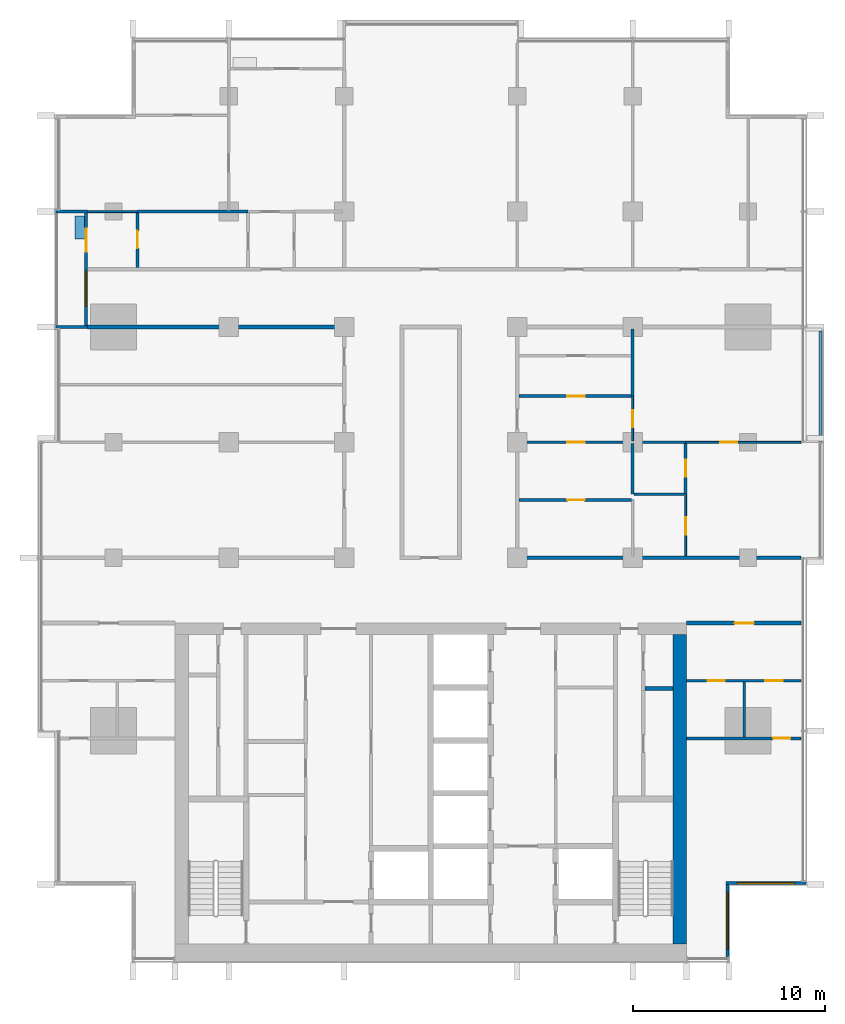
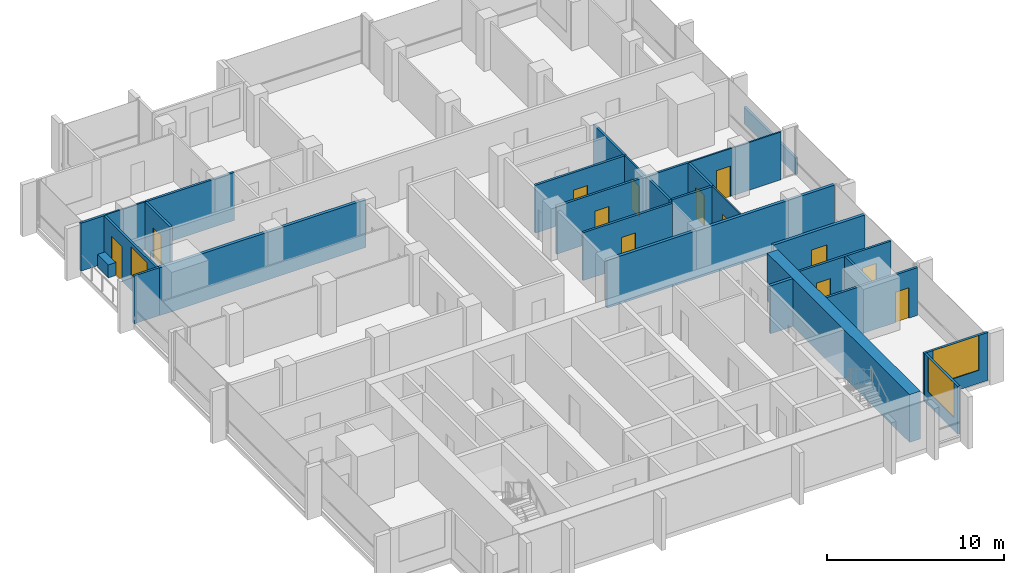
# One storey, part 9 of 16: 28 walls, 13 doors, 3 windows, 16 openings.
"""IFC4 building model written with IfcOpenShell, lengths in metres."""

from ifc_helpers import new_model, si_unit, direction, frame, frame_2d, origin, place, context, subcontext, project, spatial, rectangle, extrude, material, layer, layer_set, type_object, element, fill, save


model = new_model("IFC4")

# Units and contexts
model_context = context("Model", 3, precision=1e-05, world=origin(), true_north=direction((0.0, 1.0)))
body_context = subcontext(model_context, "Body", "Model", "MODEL_VIEW")
ifc_project = project(units=[si_unit("LENGTHUNIT", "METRE"), si_unit("AREAUNIT", "SQUARE_METRE"), si_unit("VOLUMEUNIT", "CUBIC_METRE"), si_unit("PLANEANGLEUNIT", "RADIAN"), si_unit("MASSUNIT", "GRAM", prefix="KILO")], contexts=[model_context])

# Site, building, storey
site_placement = place(None, origin())
site = spatial("IfcSite", under=ifc_project, at=site_placement, CompositionType="ELEMENT")
building_placement = place(site_placement, origin())
building = spatial("IfcBuilding", under=site, at=building_placement, Name="Finial Court Residences", CompositionType="ELEMENT")
storey_placement = place(building_placement, frame((0.0, 0.0, 185.300048828125)))
storey = spatial("IfcBuildingStorey", under=building, at=storey_placement, Name="L46", CompositionType="ELEMENT", Elevation=185.300048828125)

# Wall
ifc_material_1 = material(Name="Concrete C70/85", Category="concrete")
ifc_layer_1 = layer(ifc_material_1, 0.699951171875)
ifc_layer_set_1 = layer_set([ifc_layer_1], Name="Core outer wall 700 Concrete C70/85")
wall_type_1 = type_object("IfcWallType", Name="Core outer wall 700 Concrete C70/85", PredefinedType="SHEAR", material=ifc_layer_set_1)
wall_1_placement = place(storey_placement, frame((12.949951171875, -24.60009765625, 0.0), z_axis=(0.0, 0.0, 1.0), x_axis=(0.0, 1.0, 0.0)))
element("IfcWall", 1, at=wall_1_placement, inside=storey, type_object=wall_type_1, Name="Core outer wall L46-04", PredefinedType="SHEAR", context=body_context, shape_type="SweptSolid", body=[
    extrude(rectangle(XDim=16.10009765625, YDim=0.699951171875, at=frame_2d((8.050048828125, 0.0))), origin(), (0.0, 0.0, 1.0), 3.300048828125),
])

# Wall, opening, door
ifc_material_2 = material(Name="Gypsum board")
ifc_layer_2 = layer(ifc_material_2, 0.02490234375)
ifc_material_3 = material(Name="Acoustic mineral wool in double frame")
ifc_layer_3 = layer(ifc_material_3, 0.14990234375)
ifc_layer_4 = layer(ifc_material_2, 0.02490234375)
ifc_layer_set_2 = layer_set([ifc_layer_2, ifc_layer_3, ifc_layer_4], Name="Corridor wall 200, 1 hour")
wall_type_2 = type_object("IfcWallType", Name="Corridor wall 200, 1 hour", PredefinedType="PARTITIONING", material=ifc_layer_set_2)
wall_2_placement = place(storey_placement, frame((13.300048828125, -7.89990234375, 0.0), z_axis=(0.0, 0.0, 1.0), x_axis=(1.0, 0.0, 0.0)))
wall_2 = element("IfcWall", 2, at=wall_2_placement, inside=storey, type_object=wall_type_2, Name="Partition L46-005", PredefinedType="PARTITIONING", context=body_context, shape_type="SweptSolid", body=[
    extrude(rectangle(XDim=5.96240234375, YDim=0.199951171875, at=frame_2d((2.981201171875, 0.0))), origin(), (0.0, 0.0, 1.0), 3.300048828125),
])
opening_1_placement = place(wall_2_placement, frame((2.5, 0.0, 0.0)))
opening_1 = element("IfcOpeningElement", 3, at=opening_1_placement, cuts=wall_2, Name="Opening L46-D008", PredefinedType="OPENING", context=body_context, shape_type="SweptSolid", body=[
    extrude(rectangle(XDim=1.0, YDim=2.10009765625, at=frame_2d((0.5, 1.050048828125))), frame((0.0, 0.10986328125, 0.0), z_axis=(0.0, -1.0, 0.0), x_axis=(1.0, 0.0, 0.0)), (0.0, 0.0, 1.0), 0.219970703125),
])
ifc_material_4 = material(Name="Timber door leaf in hollow metal frame", Category="wood")
door_type_1 = type_object("IfcDoorType", Name="Fire door set 1000 x 2100, 30 minutes", OperationType="SINGLE_SWING_LEFT", PredefinedType="DOOR", material=ifc_material_4)
door_1_placement = place(opening_1_placement, origin())
door_1 = element("IfcDoor", 4, at=door_1_placement, inside=storey, type_object=door_type_1, Name="Door L46-D008", OperationType="SINGLE_SWING_RIGHT", OverallHeight=2.10009765625, OverallWidth=1.0, PredefinedType="DOOR", context=body_context, shape_type="SweptSolid", body=[
    extrude(rectangle(XDim=1.0, YDim=2.10009765625, at=frame_2d((0.5, 1.050048828125))), frame((0.0, 0.02490234375, 0.0), z_axis=(0.0, -1.0, 0.0), x_axis=(1.0, 0.0, 0.0)), (0.0, 0.0, 1.0), 0.050048828125),
])
fill(opening_1, door_1)

# Walls
wall_3_placement = place(storey_placement, frame((4.39990234375, -4.5, 0.0), z_axis=(0.0, 0.0, 1.0), x_axis=(1.0, 0.0, 0.0)))
element("IfcWall", 5, at=wall_3_placement, inside=storey, type_object=wall_type_2, Name="Partition L46-008", PredefinedType="PARTITIONING", context=body_context, shape_type="SweptSolid", body=[
    extrude(rectangle(XDim=14.862548828125, YDim=0.199951171875, at=frame_2d((7.43115234375, 0.0))), origin(), (0.0, 0.0, 1.0), 3.300048828125),
])
wall_4_placement = place(storey_placement, frame((-17.85009765625, 7.5, 0.0), z_axis=(0.0, 0.0, 1.0), x_axis=(1.0, 0.0, 0.0)))
element("IfcWall", 6, at=wall_4_placement, inside=storey, type_object=wall_type_2, Name="Partition L46-017", PredefinedType="PARTITIONING", context=body_context, shape_type="SweptSolid", body=[
    extrude(rectangle(XDim=13.4501953125, YDim=0.199951171875, at=frame_2d((6.72509765625, 0.0))), origin(), (0.0, 0.0, 1.0), 3.300048828125),
])

# Wall, opening, door
ifc_layer_5 = layer(ifc_material_2, 0.012451171875)
ifc_material_5 = material(Name="Mineral wool in light-gauge frame")
ifc_layer_6 = layer(ifc_material_5, 0.074951171875)
ifc_layer_7 = layer(ifc_material_2, 0.012451171875)
ifc_layer_set_3 = layer_set([ifc_layer_5, ifc_layer_6, ifc_layer_7], Name="Gypsum board partition 100")
wall_type_3 = type_object("IfcWallType", Name="Gypsum board partition 100", PredefinedType="PARTITIONING", material=ifc_layer_set_3)
wall_5_placement = place(storey_placement, frame((13.25, 1.5, 0.0), z_axis=(0.0, 0.0, 1.0), x_axis=(1.0, 0.0, 0.0)))
wall_5 = element("IfcWall", 7, at=wall_5_placement, inside=storey, type_object=wall_type_3, Name="Partition L46-012", PredefinedType="PARTITIONING", context=body_context, shape_type="SweptSolid", body=[
    extrude(rectangle(XDim=6.012451171875, YDim=0.10009765625, at=frame_2d((3.00634765625, 0.0))), origin(), (0.0, 0.0, 1.0), 3.300048828125),
])
opening_2_placement = place(wall_5_placement, frame((1.800048828125, 0.0, 0.0)))
opening_2 = element("IfcOpeningElement", 8, at=opening_2_placement, cuts=wall_5, Name="Opening L46-D011", PredefinedType="OPENING", context=body_context, shape_type="SweptSolid", body=[
    extrude(rectangle(XDim=0.89990234375, YDim=2.10009765625, at=frame_2d((0.449951171875, 1.050048828125))), frame((0.0, 0.06005859375, 0.0), z_axis=(0.0, -1.0, 0.0), x_axis=(1.0, 0.0, 0.0)), (0.0, 0.0, 1.0), 0.1201171875),
])
ifc_material_6 = material(Name="Timber door leaf in timber frame", Category="wood")
door_type_2 = type_object("IfcDoorType", Name="Door set 900 x 2100", OperationType="SINGLE_SWING_LEFT", PredefinedType="DOOR", material=ifc_material_6)
door_2_placement = place(opening_2_placement, origin())
door_2 = element("IfcDoor", 9, at=door_2_placement, inside=storey, type_object=door_type_2, Name="Door L46-D011", OperationType="SINGLE_SWING_LEFT", OverallHeight=2.10009765625, OverallWidth=0.89990234375, PredefinedType="DOOR", context=body_context, shape_type="SweptSolid", body=[
    extrude(rectangle(XDim=0.89990234375, YDim=2.10009765625, at=frame_2d((0.449951171875, 1.050048828125))), frame((0.0, 0.02490234375, 0.0), z_axis=(0.0, -1.0, 0.0), x_axis=(1.0, 0.0, 0.0)), (0.0, 0.0, 1.0), 0.050048828125),
])
fill(opening_2, door_2)

# Wall
wall_6_placement = place(storey_placement, frame((-17.85009765625, 13.5, 0.0), z_axis=(0.0, 0.0, 1.0), x_axis=(1.0, 0.0, 0.0)))
element("IfcWall", 10, at=wall_6_placement, inside=storey, type_object=wall_type_3, Name="Partition L46-021", PredefinedType="PARTITIONING", context=body_context, shape_type="SweptSolid", body=[
    extrude(rectangle(XDim=2.60009765625, YDim=0.10009765625, at=frame_2d((1.300048828125, 0.0))), origin(), (0.0, 0.0, 1.0), 3.300048828125),
])

# Wall, opening, door
wall_7_placement = place(storey_placement, frame((10.5, 1.574951171875, 0.0), z_axis=(0.0, 0.0, 1.0), x_axis=(0.0, 1.0, 0.0)))
wall_7 = element("IfcWall", 11, at=wall_7_placement, inside=storey, type_object=wall_type_3, Name="Partition L46-038", PredefinedType="PARTITIONING", context=body_context, shape_type="SweptSolid", body=[
    extrude(rectangle(XDim=2.324951171875, YDim=0.10009765625, at=frame_2d((1.16259765625, 0.0))), origin(), (0.0, 0.0, 1.0), 3.300048828125),
])
opening_3_placement = place(wall_7_placement, frame((0.699951171875, 0.0, 0.0)))
opening_3 = element("IfcOpeningElement", 12, at=opening_3_placement, cuts=wall_7, Name="Opening L46-D030", PredefinedType="OPENING", context=body_context, shape_type="SweptSolid", body=[
    extrude(rectangle(XDim=0.89990234375, YDim=2.10009765625, at=frame_2d((0.449951171875, 1.050048828125))), frame((0.0, 0.06005859375, 0.0), z_axis=(0.0, -1.0, 0.0), x_axis=(1.0, 0.0, 0.0)), (0.0, 0.0, 1.0), 0.1201171875),
])
door_3_placement = place(opening_3_placement, origin())
door_3 = element("IfcDoor", 13, at=door_3_placement, inside=storey, type_object=door_type_2, Name="Door L46-D030", OperationType="SINGLE_SWING_RIGHT", OverallHeight=2.10009765625, OverallWidth=0.89990234375, PredefinedType="DOOR", context=body_context, shape_type="SweptSolid", body=[
    extrude(rectangle(XDim=0.89990234375, YDim=2.10009765625, at=frame_2d((0.449951171875, 1.050048828125))), frame((0.0, 0.02490234375, 0.0), z_axis=(0.0, -1.0, 0.0), x_axis=(1.0, 0.0, 0.0)), (0.0, 0.0, 1.0), 0.050048828125),
])
fill(opening_3, door_3)

wall_8_placement = place(storey_placement, frame((13.25, -4.39990234375, 0.0), z_axis=(0.0, 0.0, 1.0), x_axis=(0.0, 1.0, 0.0)))
wall_8 = element("IfcWall", 14, at=wall_8_placement, inside=storey, type_object=wall_type_3, Name="Partition L46-042", PredefinedType="PARTITIONING", context=body_context, shape_type="SweptSolid", body=[
    extrude(rectangle(XDim=3.199951171875, YDim=0.10009765625, at=frame_2d((1.60009765625, 0.0))), origin(), (0.0, 0.0, 1.0), 3.300048828125),
])
opening_4_placement = place(wall_8_placement, frame((1.10009765625, 0.0, 0.0)))
opening_4 = element("IfcOpeningElement", 15, at=opening_4_placement, cuts=wall_8, Name="Opening L46-D031", PredefinedType="OPENING", context=body_context, shape_type="SweptSolid", body=[
    extrude(rectangle(XDim=0.89990234375, YDim=2.10009765625, at=frame_2d((0.449951171875, 1.050048828125))), frame((0.0, 0.06005859375, 0.0), z_axis=(0.0, -1.0, 0.0), x_axis=(1.0, 0.0, 0.0)), (0.0, 0.0, 1.0), 0.1201171875),
])
door_4_placement = place(opening_4_placement, origin())
door_4 = element("IfcDoor", 16, at=door_4_placement, inside=storey, type_object=door_type_2, Name="Door L46-D031", OperationType="SINGLE_SWING_RIGHT", OverallHeight=2.10009765625, OverallWidth=0.89990234375, PredefinedType="DOOR", context=body_context, shape_type="SweptSolid", body=[
    extrude(rectangle(XDim=0.89990234375, YDim=2.10009765625, at=frame_2d((0.449951171875, 1.050048828125))), frame((0.0, 0.02490234375, 0.0), z_axis=(0.0, -1.0, 0.0), x_axis=(1.0, 0.0, 0.0)), (0.0, 0.0, 1.0), 0.050048828125),
])
fill(opening_4, door_4)

ifc_material_7 = material(Name="Moisture-resistant gypsum board")
ifc_layer_8 = layer(ifc_material_7, 0.012451171875)
ifc_layer_9 = layer(ifc_material_5, 0.125)
ifc_layer_10 = layer(ifc_material_7, 0.012451171875)
ifc_layer_set_4 = layer_set([ifc_layer_8, ifc_layer_9, ifc_layer_10], Name="Gypsum board wet-area partition 150")
wall_type_4 = type_object("IfcWallType", Name="Gypsum board wet-area partition 150", PredefinedType="PARTITIONING", material=ifc_layer_set_4)
wall_9_placement = place(storey_placement, frame((13.300048828125, -13.89990234375, 0.0), z_axis=(0.0, 0.0, 1.0), x_axis=(1.0, 0.0, 0.0)))
wall_9 = element("IfcWall", 17, at=wall_9_placement, inside=storey, type_object=wall_type_4, Name="Partition L46-001", PredefinedType="PARTITIONING", context=body_context, shape_type="SweptSolid", body=[
    extrude(rectangle(XDim=5.96240234375, YDim=0.14990234375, at=frame_2d((2.981201171875, 0.0))), origin(), (0.0, 0.0, 1.0), 3.300048828125),
])
opening_5_placement = place(wall_9_placement, frame((4.5, 0.0, 0.0)))
opening_5 = element("IfcOpeningElement", 18, at=opening_5_placement, cuts=wall_9, Name="Opening L46-D002", PredefinedType="OPENING", context=body_context, shape_type="SweptSolid", body=[
    extrude(rectangle(XDim=0.89990234375, YDim=2.10009765625, at=frame_2d((0.449951171875, 1.050048828125))), frame((0.0, 0.0849609375, 0.0), z_axis=(0.0, -1.0, 0.0), x_axis=(1.0, 0.0, 0.0)), (0.0, 0.0, 1.0), 0.169921875),
])
door_5_placement = place(opening_5_placement, origin())
door_5 = element("IfcDoor", 19, at=door_5_placement, inside=storey, type_object=door_type_2, Name="Door L46-D002", OperationType="SINGLE_SWING_RIGHT", OverallHeight=2.10009765625, OverallWidth=0.89990234375, PredefinedType="DOOR", context=body_context, shape_type="SweptSolid", body=[
    extrude(rectangle(XDim=0.89990234375, YDim=2.10009765625, at=frame_2d((0.449951171875, 1.050048828125))), frame((0.0, 0.02490234375, 0.0), z_axis=(0.0, -1.0, 0.0), x_axis=(1.0, 0.0, 0.0)), (0.0, 0.0, 1.0), 0.050048828125),
])
fill(opening_5, door_5)

# Wall, openings, doors
wall_10_placement = place(storey_placement, frame((13.300048828125, -10.89990234375, 0.0), z_axis=(0.0, 0.0, 1.0), x_axis=(1.0, 0.0, 0.0)))
wall_10 = element("IfcWall", 20, at=wall_10_placement, inside=storey, type_object=wall_type_4, Name="Partition L46-003", PredefinedType="PARTITIONING", context=body_context, shape_type="SweptSolid", body=[
    extrude(rectangle(XDim=5.96240234375, YDim=0.14990234375, at=frame_2d((2.981201171875, 0.0))), origin(), (0.0, 0.0, 1.0), 3.300048828125),
])
opening_6_placement = place(wall_10_placement, frame((1.10009765625, 0.0, 0.0)))
opening_6 = element("IfcOpeningElement", 21, at=opening_6_placement, cuts=wall_10, Name="Opening L46-D005", PredefinedType="OPENING", context=body_context, shape_type="SweptSolid", body=[
    extrude(rectangle(XDim=0.89990234375, YDim=2.10009765625, at=frame_2d((0.449951171875, 1.050048828125))), frame((0.0, 0.0849609375, 0.0), z_axis=(0.0, -1.0, 0.0), x_axis=(1.0, 0.0, 0.0)), (0.0, 0.0, 1.0), 0.169921875),
])
opening_7_placement = place(wall_10_placement, frame((4.10009765625, 0.0, 0.0)))
opening_7 = element("IfcOpeningElement", 22, at=opening_7_placement, cuts=wall_10, Name="Opening L46-D006", PredefinedType="OPENING", context=body_context, shape_type="SweptSolid", body=[
    extrude(rectangle(XDim=0.89990234375, YDim=2.10009765625, at=frame_2d((0.449951171875, 1.050048828125))), frame((0.0, 0.0849609375, 0.0), z_axis=(0.0, -1.0, 0.0), x_axis=(1.0, 0.0, 0.0)), (0.0, 0.0, 1.0), 0.169921875),
])
door_6_placement = place(opening_6_placement, origin())
door_6 = element("IfcDoor", 23, at=door_6_placement, inside=storey, type_object=door_type_2, Name="Door L46-D005", OperationType="SINGLE_SWING_LEFT", OverallHeight=2.10009765625, OverallWidth=0.89990234375, PredefinedType="DOOR", context=body_context, shape_type="SweptSolid", body=[
    extrude(rectangle(XDim=0.89990234375, YDim=2.10009765625, at=frame_2d((0.449951171875, 1.050048828125))), frame((0.0, 0.02490234375, 0.0), z_axis=(0.0, -1.0, 0.0), x_axis=(1.0, 0.0, 0.0)), (0.0, 0.0, 1.0), 0.050048828125),
])
fill(opening_6, door_6)
door_7_placement = place(opening_7_placement, origin())
door_7 = element("IfcDoor", 24, at=door_7_placement, inside=storey, type_object=door_type_2, Name="Door L46-D006", OperationType="SINGLE_SWING_RIGHT", OverallHeight=2.10009765625, OverallWidth=0.89990234375, PredefinedType="DOOR", context=body_context, shape_type="SweptSolid", body=[
    extrude(rectangle(XDim=0.89990234375, YDim=2.10009765625, at=frame_2d((0.449951171875, 1.050048828125))), frame((0.0, 0.02490234375, 0.0), z_axis=(0.0, -1.0, 0.0), x_axis=(1.0, 0.0, 0.0)), (0.0, 0.0, 1.0), 0.050048828125),
])
fill(opening_7, door_7)

# Wall, opening, door
wall_11_placement = place(storey_placement, frame((4.60009765625, -1.5, 0.0), z_axis=(0.0, 0.0, 1.0), x_axis=(1.0, 0.0, 0.0)))
wall_11 = element("IfcWall", 25, at=wall_11_placement, inside=storey, type_object=wall_type_4, Name="Partition L46-009", PredefinedType="PARTITIONING", context=body_context, shape_type="SweptSolid", body=[
    extrude(rectangle(XDim=5.824951171875, YDim=0.14990234375, at=frame_2d((2.91259765625, 0.0))), origin(), (0.0, 0.0, 1.0), 3.300048828125),
])
opening_8_placement = place(wall_11_placement, frame((2.5, 0.0, 0.0)))
opening_8 = element("IfcOpeningElement", 26, at=opening_8_placement, cuts=wall_11, Name="Opening L46-D010", PredefinedType="OPENING", context=body_context, shape_type="SweptSolid", body=[
    extrude(rectangle(XDim=0.89990234375, YDim=2.10009765625, at=frame_2d((0.449951171875, 1.050048828125))), frame((0.0, 0.0849609375, 0.0), z_axis=(0.0, -1.0, 0.0), x_axis=(1.0, 0.0, 0.0)), (0.0, 0.0, 1.0), 0.169921875),
])
door_8_placement = place(opening_8_placement, origin())
door_8 = element("IfcDoor", 27, at=door_8_placement, inside=storey, type_object=door_type_2, Name="Door L46-D010", OperationType="SINGLE_SWING_LEFT", OverallHeight=2.10009765625, OverallWidth=0.89990234375, PredefinedType="DOOR", context=body_context, shape_type="SweptSolid", body=[
    extrude(rectangle(XDim=0.89990234375, YDim=2.10009765625, at=frame_2d((0.449951171875, 1.050048828125))), frame((0.0, 0.02490234375, 0.0), z_axis=(0.0, -1.0, 0.0), x_axis=(1.0, 0.0, 0.0)), (0.0, 0.0, 1.0), 0.050048828125),
])
fill(opening_8, door_8)

# Wall
wall_12_placement = place(storey_placement, frame((10.574951171875, -1.199951171875, 0.0), z_axis=(0.0, 0.0, 1.0), x_axis=(1.0, 0.0, 0.0)))
element("IfcWall", 28, at=wall_12_placement, inside=storey, type_object=wall_type_4, Name="Partition L46-010", PredefinedType="PARTITIONING", context=body_context, shape_type="SweptSolid", body=[
    extrude(rectangle(XDim=2.60009765625, YDim=0.14990234375, at=frame_2d((1.300048828125, 0.0))), origin(), (0.0, 0.0, 1.0), 3.300048828125),
])

# Wall, opening, door
wall_13_placement = place(storey_placement, frame((4.60009765625, 1.5, 0.0), z_axis=(0.0, 0.0, 1.0), x_axis=(1.0, 0.0, 0.0)))
wall_13 = element("IfcWall", 29, at=wall_13_placement, inside=storey, type_object=wall_type_4, Name="Partition L46-013", PredefinedType="PARTITIONING", context=body_context, shape_type="SweptSolid", body=[
    extrude(rectangle(XDim=8.64990234375, YDim=0.14990234375, at=frame_2d((4.324951171875, 0.0))), origin(), (0.0, 0.0, 1.0), 3.300048828125),
])
opening_9_placement = place(wall_13_placement, frame((2.5, 0.0, 0.0)))
opening_9 = element("IfcOpeningElement", 30, at=opening_9_placement, cuts=wall_13, Name="Opening L46-D012", PredefinedType="OPENING", context=body_context, shape_type="SweptSolid", body=[
    extrude(rectangle(XDim=0.89990234375, YDim=2.10009765625, at=frame_2d((0.449951171875, 1.050048828125))), frame((0.0, 0.0849609375, 0.0), z_axis=(0.0, -1.0, 0.0), x_axis=(1.0, 0.0, 0.0)), (0.0, 0.0, 1.0), 0.169921875),
])
door_9_placement = place(opening_9_placement, origin())
door_9 = element("IfcDoor", 31, at=door_9_placement, inside=storey, type_object=door_type_2, Name="Door L46-D012", OperationType="SINGLE_SWING_LEFT", OverallHeight=2.10009765625, OverallWidth=0.89990234375, PredefinedType="DOOR", context=body_context, shape_type="SweptSolid", body=[
    extrude(rectangle(XDim=0.89990234375, YDim=2.10009765625, at=frame_2d((0.449951171875, 1.050048828125))), frame((0.0, 0.02490234375, 0.0), z_axis=(0.0, -1.0, 0.0), x_axis=(1.0, 0.0, 0.0)), (0.0, 0.0, 1.0), 0.050048828125),
])
fill(opening_9, door_9)

wall_14_placement = place(storey_placement, frame((4.60009765625, 3.89990234375, 0.0), z_axis=(0.0, 0.0, 1.0), x_axis=(1.0, 0.0, 0.0)))
wall_14 = element("IfcWall", 32, at=wall_14_placement, inside=storey, type_object=wall_type_4, Name="Partition L46-014", PredefinedType="PARTITIONING", context=body_context, shape_type="SweptSolid", body=[
    extrude(rectangle(XDim=5.824951171875, YDim=0.14990234375, at=frame_2d((2.91259765625, 0.0))), origin(), (0.0, 0.0, 1.0), 3.300048828125),
])
opening_10_placement = place(wall_14_placement, frame((2.5, 0.0, 0.0)))
opening_10 = element("IfcOpeningElement", 33, at=opening_10_placement, cuts=wall_14, Name="Opening L46-D013", PredefinedType="OPENING", context=body_context, shape_type="SweptSolid", body=[
    extrude(rectangle(XDim=0.89990234375, YDim=2.10009765625, at=frame_2d((0.449951171875, 1.050048828125))), frame((0.0, 0.0849609375, 0.0), z_axis=(0.0, -1.0, 0.0), x_axis=(1.0, 0.0, 0.0)), (0.0, 0.0, 1.0), 0.169921875),
])
door_10_placement = place(opening_10_placement, origin())
door_10 = element("IfcDoor", 34, at=door_10_placement, inside=storey, type_object=door_type_2, Name="Door L46-D013", OperationType="SINGLE_SWING_LEFT", OverallHeight=2.10009765625, OverallWidth=0.89990234375, PredefinedType="DOOR", context=body_context, shape_type="SweptSolid", body=[
    extrude(rectangle(XDim=0.89990234375, YDim=2.10009765625, at=frame_2d((0.449951171875, 1.050048828125))), frame((0.0, 0.02490234375, 0.0), z_axis=(0.0, -1.0, 0.0), x_axis=(1.0, 0.0, 0.0)), (0.0, 0.0, 1.0), 0.050048828125),
])
fill(opening_10, door_10)

# Wall
wall_15_placement = place(storey_placement, frame((-15.25, 13.5, 0.0), z_axis=(0.0, 0.0, 1.0), x_axis=(1.0, 0.0, 0.0)))
element("IfcWall", 35, at=wall_15_placement, inside=storey, type_object=wall_type_4, Name="Partition L46-023", PredefinedType="PARTITIONING", context=body_context, shape_type="SweptSolid", body=[
    extrude(rectangle(XDim=5.75, YDim=0.14990234375, at=frame_2d((2.875, 0.0))), origin(), (0.0, 0.0, 1.0), 3.300048828125),
])

# Wall, opening, door
wall_16_placement = place(storey_placement, frame((-15.25, 10.60009765625, 0.0), z_axis=(0.0, 0.0, 1.0), x_axis=(0.0, 1.0, 0.0)))
wall_16 = element("IfcWall", 36, at=wall_16_placement, inside=storey, type_object=wall_type_4, Name="Partition L46-027", PredefinedType="PARTITIONING", context=body_context, shape_type="SweptSolid", body=[
    extrude(rectangle(XDim=2.824951171875, YDim=0.14990234375, at=frame_2d((1.41259765625, 0.0))), origin(), (0.0, 0.0, 1.0), 3.300048828125),
])
opening_11_placement = place(wall_16_placement, frame((1.0, 0.0, 0.0)))
opening_11 = element("IfcOpeningElement", 37, at=opening_11_placement, cuts=wall_16, Name="Opening L46-D022", PredefinedType="OPENING", context=body_context, shape_type="SweptSolid", body=[
    extrude(rectangle(XDim=0.89990234375, YDim=2.10009765625, at=frame_2d((0.449951171875, 1.050048828125))), frame((0.0, 0.0849609375, 0.0), z_axis=(0.0, -1.0, 0.0), x_axis=(1.0, 0.0, 0.0)), (0.0, 0.0, 1.0), 0.169921875),
])
door_11_placement = place(opening_11_placement, origin())
door_11 = element("IfcDoor", 38, at=door_11_placement, inside=storey, type_object=door_type_2, Name="Door L46-D022", OperationType="SINGLE_SWING_LEFT", OverallHeight=2.10009765625, OverallWidth=0.89990234375, PredefinedType="DOOR", context=body_context, shape_type="SweptSolid", body=[
    extrude(rectangle(XDim=0.89990234375, YDim=2.10009765625, at=frame_2d((0.449951171875, 1.050048828125))), frame((0.0, 0.02490234375, 0.0), z_axis=(0.0, -1.0, 0.0), x_axis=(1.0, 0.0, 0.0)), (0.0, 0.0, 1.0), 0.050048828125),
])
fill(opening_11, door_11)

# Walls
wall_17_placement = place(storey_placement, frame((10.5, -1.199951171875, 0.0), z_axis=(0.0, 0.0, 1.0), x_axis=(0.0, 1.0, 0.0)))
element("IfcWall", 39, at=wall_17_placement, inside=storey, type_object=wall_type_4, Name="Partition L46-040", PredefinedType="PARTITIONING", context=body_context, shape_type="SweptSolid", body=[
    extrude(rectangle(XDim=2.625, YDim=0.14990234375, at=frame_2d((1.3125, 0.0))), origin(), (0.0, 0.0, 1.0), 3.300048828125),
])
wall_18_placement = place(storey_placement, frame((10.5, 3.89990234375, 0.0), z_axis=(0.0, 0.0, 1.0), x_axis=(0.0, 1.0, 0.0)))
element("IfcWall", 40, at=wall_18_placement, inside=storey, type_object=wall_type_4, Name="Partition L46-041", PredefinedType="PARTITIONING", context=body_context, shape_type="SweptSolid", body=[
    extrude(rectangle(XDim=3.5, YDim=0.14990234375, at=frame_2d((1.75, 0.0))), origin(), (0.0, 0.0, 1.0), 3.300048828125),
])

# Wall, opening, door
wall_19_placement = place(storey_placement, frame((13.25, -1.199951171875, 0.0), z_axis=(0.0, 0.0, 1.0), x_axis=(0.0, 1.0, 0.0)))
wall_19 = element("IfcWall", 41, at=wall_19_placement, inside=storey, type_object=wall_type_4, Name="Partition L46-043", PredefinedType="PARTITIONING", context=body_context, shape_type="SweptSolid", body=[
    extrude(rectangle(XDim=2.625, YDim=0.14990234375, at=frame_2d((1.3125, 0.0))), origin(), (0.0, 0.0, 1.0), 3.300048828125),
])
opening_12_placement = place(wall_19_placement, frame((0.89990234375, 0.0, 0.0)))
opening_12 = element("IfcOpeningElement", 42, at=opening_12_placement, cuts=wall_19, Name="Opening L46-D032", PredefinedType="OPENING", context=body_context, shape_type="SweptSolid", body=[
    extrude(rectangle(XDim=0.89990234375, YDim=2.10009765625, at=frame_2d((0.449951171875, 1.050048828125))), frame((0.0, 0.0849609375, 0.0), z_axis=(0.0, -1.0, 0.0), x_axis=(1.0, 0.0, 0.0)), (0.0, 0.0, 1.0), 0.169921875),
])
door_12_placement = place(opening_12_placement, origin())
door_12 = element("IfcDoor", 43, at=door_12_placement, inside=storey, type_object=door_type_2, Name="Door L46-D032", OperationType="SINGLE_SWING_RIGHT", OverallHeight=2.10009765625, OverallWidth=0.89990234375, PredefinedType="DOOR", context=body_context, shape_type="SweptSolid", body=[
    extrude(rectangle(XDim=0.89990234375, YDim=2.10009765625, at=frame_2d((0.449951171875, 1.050048828125))), frame((0.0, 0.02490234375, 0.0), z_axis=(0.0, -1.0, 0.0), x_axis=(1.0, 0.0, 0.0)), (0.0, 0.0, 1.0), 0.050048828125),
])
fill(opening_12, door_12)

# Walls
wall_20_placement = place(storey_placement, frame((16.300048828125, -13.824951171875, 0.0), z_axis=(0.0, 0.0, 1.0), x_axis=(0.0, 1.0, 0.0)))
element("IfcWall", 44, at=wall_20_placement, inside=storey, type_object=wall_type_4, Name="Partition L46-044", PredefinedType="PARTITIONING", context=body_context, shape_type="SweptSolid", body=[
    extrude(rectangle(XDim=2.849853515625, YDim=0.14990234375, at=frame_2d((1.4248046875, 0.0))), origin(), (0.0, 0.0, 1.0), 3.300048828125),
])
ifc_material_8 = material(Name="Concrete C35/45", Category="concrete")
ifc_layer_11 = layer(ifc_material_8, 0.14990234375)
ifc_layer_set_5 = layer_set([ifc_layer_11], Name="Ledge parapet, Concrete C35/45 150")
wall_type_5 = type_object("IfcWallType", Name="Ledge parapet, Concrete C35/45 150", PredefinedType="PARAPET", material=ifc_layer_set_5)
wall_21_placement = place(storey_placement, frame((20.27490234375, 7.300048828125, 0.0), z_axis=(0.0, 0.0, 1.0), x_axis=(0.0, -1.0, 0.0)))
element("IfcWall", 45, at=wall_21_placement, inside=storey, type_object=wall_type_5, Name="E-L46-LED1-P2", PredefinedType="PARAPET", context=body_context, shape_type="SweptSolid", body=[
    extrude(rectangle(XDim=5.8525390625, YDim=0.14990234375, at=frame_2d((2.92626953125, 0.0))), origin(), (0.0, 0.0, 1.0), 1.14990234375),
])

# Wall, opening, window
ifc_material_9 = material(Name="Natural limestone", Category="masonry")
ifc_layer_12 = layer(ifc_material_9, 0.14990234375)
ifc_layer_set_6 = layer_set([ifc_layer_12], Name="Limestone clad wall 150")
wall_type_6 = type_object("IfcWallType", Name="Limestone clad wall 150", PredefinedType="SOLIDWALL", material=ifc_layer_set_6)
wall_22_placement = place(storey_placement, frame((15.425048828125, -21.5, 0.0), z_axis=(0.0, 0.0, 1.0), x_axis=(0.0, -1.0, 0.0)))
wall_22 = element("IfcWall", 46, at=wall_22_placement, inside=storey, type_object=wall_type_6, Name="E-L46-NWE16", PredefinedType="SOLIDWALL", context=body_context, shape_type="SweptSolid", body=[
    extrude(rectangle(XDim=3.762451171875, YDim=0.14990234375, at=frame_2d((1.88134765625, 0.0))), origin(), (0.0, 0.0, 1.0), 3.300048828125),
])
opening_13_placement = place(wall_22_placement, frame((0.4013671875, 0.0, 0.89990234375)))
opening_13 = element("IfcOpeningElement", 47, at=opening_13_placement, cuts=wall_22, Name="Opening WE46-03", PredefinedType="OPENING", context=body_context, shape_type="SweptSolid", body=[
    extrude(rectangle(XDim=2.9599609375, YDim=2.39990234375, at=frame_2d((1.47998046875, 1.199951171875))), frame((0.0, 0.0849609375, 0.0), z_axis=(0.0, -1.0, 0.0), x_axis=(1.0, 0.0, 0.0)), (0.0, 0.0, 1.0), 0.169921875),
])
ifc_material_10 = material(Name="Clear low-e glass", Category="glass")
window_type_1 = type_object("IfcWindowType", Name="Corner window 2960 x 2400", PartitioningType="SINGLE_PANEL", PredefinedType="WINDOW", material=ifc_material_10)
window_1_placement = place(opening_13_placement, origin())
window_1 = element("IfcWindow", 48, at=window_1_placement, inside=storey, type_object=window_type_1, Name="E-L46-NWE16-W1", OverallHeight=2.39990234375, OverallWidth=2.9599609375, PartitioningType="SINGLE_PANEL", PredefinedType="WINDOW", context=body_context, shape_type="SweptSolid", body=[
    extrude(rectangle(XDim=2.9599609375, YDim=2.39990234375, at=frame_2d((1.47998046875, 1.199951171875))), frame((0.0, 0.030029296875, 0.0), z_axis=(0.0, -1.0, 0.0), x_axis=(1.0, 0.0, 0.0)), (0.0, 0.0, 1.0), 0.06005859375),
])
fill(opening_13, window_1)

wall_23_placement = place(storey_placement, frame((19.5, -21.425048828125, 0.0), z_axis=(0.0, 0.0, 1.0), x_axis=(-1.0, 0.0, 0.0)))
wall_23 = element("IfcWall", 49, at=wall_23_placement, inside=storey, type_object=wall_type_6, Name="E-L46-NWS17", PredefinedType="SOLIDWALL", context=body_context, shape_type="SweptSolid", body=[
    extrude(rectangle(XDim=4.14990234375, YDim=0.14990234375, at=frame_2d((2.074951171875, 0.0))), origin(), (0.0, 0.0, 1.0), 3.300048828125),
])
opening_14_placement = place(wall_23_placement, frame((0.574951171875, 0.0, 0.89990234375)))
opening_14 = element("IfcOpeningElement", 50, at=opening_14_placement, cuts=wall_23, Name="Opening WE46-04", PredefinedType="OPENING", context=body_context, shape_type="SweptSolid", body=[
    extrude(rectangle(XDim=3.0, YDim=2.39990234375, at=frame_2d((1.5, 1.199951171875))), frame((0.0, 0.0849609375, 0.0), z_axis=(0.0, -1.0, 0.0), x_axis=(1.0, 0.0, 0.0)), (0.0, 0.0, 1.0), 0.169921875),
])
window_type_2 = type_object("IfcWindowType", Name="Corner window 3000 x 2400", PartitioningType="SINGLE_PANEL", PredefinedType="WINDOW", material=ifc_material_10)
window_2_placement = place(opening_14_placement, origin())
window_2 = element("IfcWindow", 51, at=window_2_placement, inside=storey, type_object=window_type_2, Name="E-L46-NWS17-W1", OverallHeight=2.39990234375, OverallWidth=3.0, PartitioningType="SINGLE_PANEL", PredefinedType="WINDOW", context=body_context, shape_type="SweptSolid", body=[
    extrude(rectangle(XDim=3.0, YDim=2.39990234375, at=frame_2d((1.5, 1.199951171875))), frame((0.0, 0.030029296875, 0.0), z_axis=(0.0, -1.0, 0.0), x_axis=(1.0, 0.0, 0.0)), (0.0, 0.0, 1.0), 0.06005859375),
])
fill(opening_14, window_2)

# Walls
for number, where, z_axis, x_axis, name in (
    (52, (-17.85009765625, 7.5, 0.0), (0.0, 0.0, 1.0), (-1.0, 0.0, 0.0), "E-L46-BALW5-P1"),
    (53, (-17.85009765625, 13.5, 0.0), (0.0, 0.0, 1.0), (-1.0, 0.0, 0.0), "E-L46-BALW5-P2"),
):
    element("IfcWall", number, at=place(storey_placement, frame(where, z_axis=z_axis, x_axis=x_axis)), inside=storey, type_object=wall_type_6, Name=name, PredefinedType="SOLIDWALL", context=body_context, shape_type="SweptSolid", body=[
        extrude(rectangle(XDim=1.64990234375, YDim=0.14990234375, at=frame_2d((0.824951171875, 0.0))), origin(), (0.0, 0.0, 1.0), 3.300048828125),
    ])

# Wall, openings, door, window
wall_24_placement = place(storey_placement, frame((-17.925048828125, 7.574951171875, 0.0), z_axis=(0.0, 0.0, 1.0), x_axis=(0.0, 1.0, 0.0)))
wall_24 = element("IfcWall", 54, at=wall_24_placement, inside=storey, type_object=wall_type_6, Name="E-L46-L46-BALW5-W", PredefinedType="SOLIDWALL", context=body_context, shape_type="SweptSolid", body=[
    extrude(rectangle(XDim=5.85009765625, YDim=0.14990234375, at=frame_2d((2.925048828125, 0.0))), origin(), (0.0, 0.0, 1.0), 3.300048828125),
])
opening_15_placement = place(wall_24_placement, frame((3.824951171875, 0.0, 0.0)))
opening_15 = element("IfcOpeningElement", 55, at=opening_15_placement, cuts=wall_24, Name="Opening DE46-02", PredefinedType="OPENING", context=body_context, shape_type="SweptSolid", body=[
    extrude(rectangle(XDim=1.199951171875, YDim=2.39990234375, at=frame_2d((0.60009765625, 1.199951171875))), frame((0.0, 0.0849609375, 0.0), z_axis=(0.0, -1.0, 0.0), x_axis=(1.0, 0.0, 0.0)), (0.0, 0.0, 1.0), 0.169921875),
])
opening_16_placement = place(wall_24_placement, frame((1.012451171875, 0.0, 0.89990234375)))
opening_16 = element("IfcOpeningElement", 56, at=opening_16_placement, cuts=wall_24, Name="Opening WE46-11", PredefinedType="OPENING", context=body_context, shape_type="SweptSolid", body=[
    extrude(rectangle(XDim=1.800048828125, YDim=2.10009765625, at=frame_2d((0.89990234375, 1.050048828125))), frame((0.0, 0.0849609375, 0.0), z_axis=(0.0, -1.0, 0.0), x_axis=(1.0, 0.0, 0.0)), (0.0, 0.0, 1.0), 0.169921875),
])
ifc_material_11 = material(Name="Bronze anodised aluminium", Category="aluminium")
door_type_3 = type_object("IfcDoorType", Name="Balcony door 1200 x 2400", OperationType="SINGLE_SWING_LEFT", PredefinedType="DOOR", material=ifc_material_11)
door_13_placement = place(opening_15_placement, origin())
door_13 = element("IfcDoor", 57, at=door_13_placement, inside=storey, type_object=door_type_3, Name="E-L46-L46-BALW5-W-D", OperationType="SINGLE_SWING_RIGHT", OverallHeight=2.39990234375, OverallWidth=1.199951171875, PredefinedType="DOOR", context=body_context, shape_type="SweptSolid", body=[
    extrude(rectangle(XDim=1.199951171875, YDim=2.39990234375, at=frame_2d((0.60009765625, 1.199951171875))), frame((0.0, 0.02490234375, 0.0), z_axis=(0.0, -1.0, 0.0), x_axis=(1.0, 0.0, 0.0)), (0.0, 0.0, 1.0), 0.050048828125),
])
fill(opening_15, door_13)
window_type_3 = type_object("IfcWindowType", Name="Balcony window 1800 x 2100", PartitioningType="SINGLE_PANEL", PredefinedType="WINDOW", material=ifc_material_10)
window_3_placement = place(opening_16_placement, origin())
window_3 = element("IfcWindow", 58, at=window_3_placement, inside=storey, type_object=window_type_3, Name="E-L46-L46-BALW5-W-W1", OverallHeight=2.10009765625, OverallWidth=1.800048828125, PartitioningType="SINGLE_PANEL", PredefinedType="WINDOW", context=body_context, shape_type="SweptSolid", body=[
    extrude(rectangle(XDim=1.800048828125, YDim=2.10009765625, at=frame_2d((0.89990234375, 1.050048828125))), frame((0.0, 0.030029296875, 0.0), z_axis=(0.0, -1.0, 0.0), x_axis=(1.0, 0.0, 0.0)), (0.0, 0.0, 1.0), 0.06005859375),
])
fill(opening_16, window_3)

# Walls
ifc_material_12 = material(Name="Concrete C40/50", Category="concrete")
ifc_layer_13 = layer(ifc_material_12, 0.10009765625)
ifc_material_13 = material(Name="Planting soil", Category="soil")
ifc_layer_14 = layer(ifc_material_13, 0.300048828125)
ifc_layer_15 = layer(ifc_material_12, 0.10009765625)
ifc_layer_set_7 = layer_set([ifc_layer_13, ifc_layer_14, ifc_layer_15], Name="Planter wall, balcony")
wall_type_7 = type_object("IfcWallType", Name="Planter wall, balcony", PredefinedType="USERDEFINED", material=ifc_layer_set_7)
wall_25_placement = place(storey_placement, frame((-18.25, 12.074951171875, 0.0), z_axis=(0.0, 0.0, 1.0), x_axis=(0.0, 1.0, 0.0)))
element("IfcWall", 59, at=wall_25_placement, inside=storey, type_object=wall_type_7, Name="E-L46-BALW5-PL", ObjectType="PLANTER", PredefinedType="USERDEFINED", context=body_context, shape_type="SweptSolid", body=[
    extrude(rectangle(XDim=1.199951171875, YDim=0.5, at=frame_2d((0.60009765625, 0.0))), origin(), (0.0, 0.0, 1.0), 0.89990234375),
])
ifc_material_14 = material(Name="Fire-rated gypsum board partition")
ifc_layer_16 = layer(ifc_material_14, 0.199951171875)
ifc_layer_set_8 = layer_set([ifc_layer_16], Name="Riser room wall 200 EI 120")
wall_type_8 = type_object("IfcWallType", Name="Riser room wall 200 EI 120", PredefinedType="PARTITIONING", material=ifc_layer_set_8)
wall_26_placement = place(storey_placement, frame((11.14990234375, -11.300048828125, 0.0), z_axis=(0.0, 0.0, 1.0), x_axis=(1.0, 0.0, 0.0)))
element("IfcWall", 60, at=wall_26_placement, inside=storey, type_object=wall_type_8, Name="Core partition L46-14", PredefinedType="PARTITIONING", context=body_context, shape_type="SweptSolid", body=[
    extrude(rectangle(XDim=1.4501953125, YDim=0.199951171875, at=frame_2d((0.72509765625, 0.0))), origin(), (0.0, 0.0, 1.0), 3.300048828125),
])

save(model, "model.ifc")
